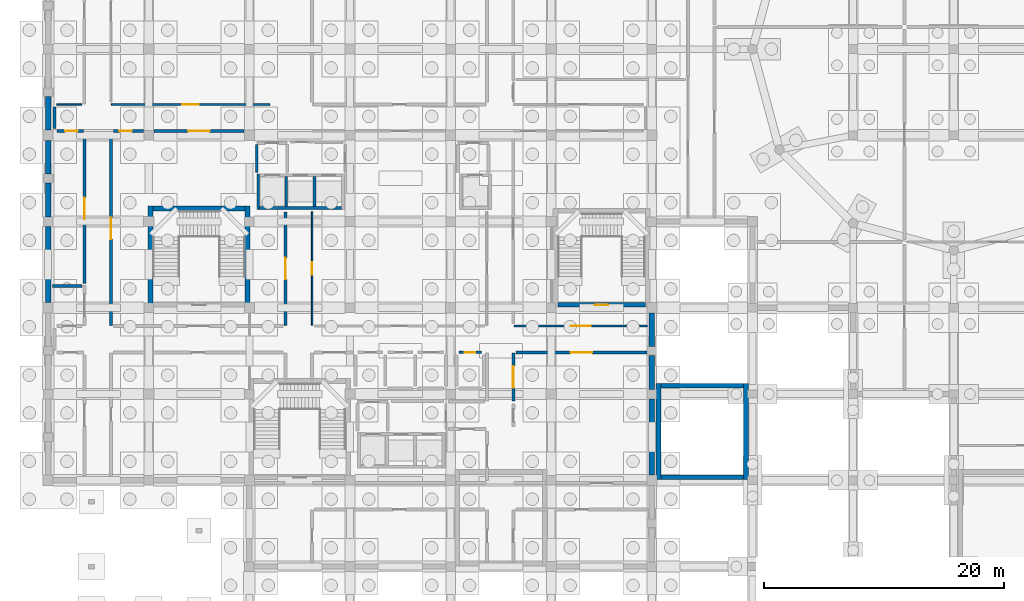
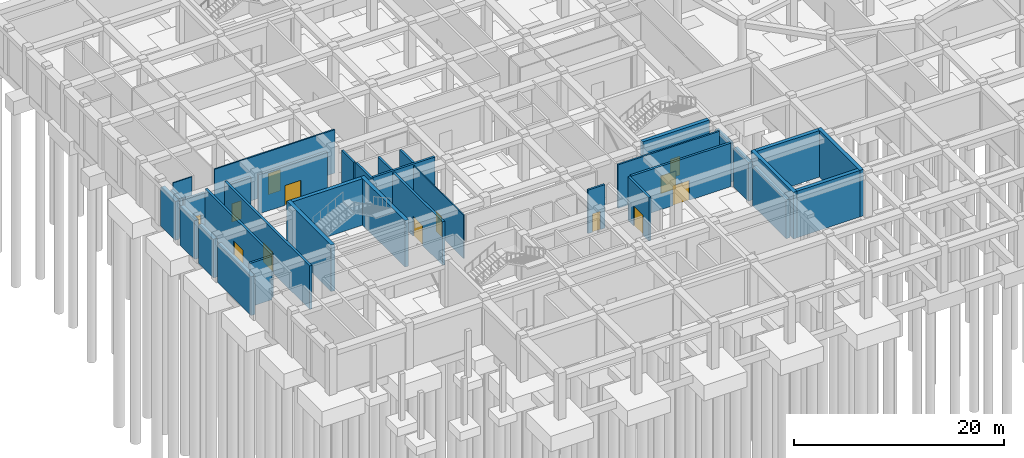
# One storey, part 17 of 32: 35 walls, 13 doors, 13 openings.
"""IFC4 building model written with IfcOpenShell, lengths in metres."""

from ifc_helpers import new_model, si_unit, derived_unit, direction, frame, frame_2d, origin, place, context, subcontext, project, spatial, rectangle, extrude, material, layer, layer_set, type_object, element, fill, save


model = new_model("IFC4")

# Units and contexts
model_context = context("Model", 3, precision=1e-05, world=origin(), true_north=direction((0.0, 1.0)))
body_context = subcontext(model_context, "Body", "Model", "MODEL_VIEW")
ifc_project = project(units=[si_unit("LENGTHUNIT", "METRE"), si_unit("AREAUNIT", "SQUARE_METRE"), si_unit("VOLUMEUNIT", "CUBIC_METRE"), si_unit("PLANEANGLEUNIT", "RADIAN"), si_unit("MASSUNIT", "GRAM", prefix="KILO"), derived_unit("THERMALTRANSMITTANCEUNIT", [(si_unit("POWERUNIT", "WATT"), 1), (si_unit("LENGTHUNIT", "METRE"), -2), (si_unit("THERMODYNAMICTEMPERATUREUNIT", "KELVIN"), -1)])], contexts=[model_context])

# Site, building, storey
site_placement = place(None, origin())
site = spatial("IfcSite", under=ifc_project, at=site_placement, CompositionType="ELEMENT")
building_placement = place(site_placement, origin())
building = spatial("IfcBuilding", under=site, at=building_placement, Name="Veybourne Emporium", CompositionType="ELEMENT")
storey_placement = place(building_placement, frame((0.0, 0.0, -5.39990234375)))
storey = spatial("IfcBuildingStorey", under=building, at=storey_placement, Name="B1", CompositionType="ELEMENT", Elevation=-5.39990234375)

# Walls
ifc_material_1 = material(Name="Concrete C40/50", Category="concrete")
ifc_layer_1 = layer(ifc_material_1, 0.449951171875)
ifc_layer_set_1 = layer_set([ifc_layer_1], Name="Concrete C40/50")
wall_type_1 = type_object("IfcWallType", Name="ExtWall_RW-01", PredefinedType="USERDEFINED", material=ifc_layer_set_1)
wall_1_placement = place(storey_placement, frame((0.0, 29.22509765625, 0.0), z_axis=(0.0, 0.0, 1.0), x_axis=(0.0, 1.0, 0.0)))
element("IfcWall", 1, at=wall_1_placement, inside=storey, type_object=wall_type_1, Name="Basement perimeter retaining wall 004", ObjectType="RETAININGWALL", PredefinedType="USERDEFINED", context=body_context, shape_type="SweptSolid", body=[
    extrude(rectangle(XDim=6.375, YDim=0.449951171875, at=frame_2d((3.1875, 0.0))), origin(), (0.0, 0.0, 1.0), 4.5),
])
wall_2_placement = place(storey_placement, frame((0.0, 36.39990234375, 0.0), z_axis=(0.0, 0.0, 1.0), x_axis=(0.0, 1.0, 0.0)))
element("IfcWall", 2, at=wall_2_placement, inside=storey, type_object=wall_type_1, Name="Basement perimeter retaining wall 005A", ObjectType="RETAININGWALL", PredefinedType="USERDEFINED", context=body_context, shape_type="SweptSolid", body=[
    extrude(rectangle(XDim=2.830078125, YDim=0.449951171875, at=frame_2d((1.4150390625, 0.0))), origin(), (0.0, 0.0, 1.0), 4.5),
])
for number, where, z_axis, x_axis, name in (
    (3, (0.0, 39.969970703125, 0.0), (0.0, 0.0, 1.0), (0.0, 1.0, 0.0), "Basement perimeter retaining wall 005B"),
    (4, (0.0, 43.625, 0.0), (0.0, 0.0, 1.0), (0.0, 1.0, 0.0), "Basement perimeter retaining wall 006A"),
):
    element("IfcWall", number, at=place(storey_placement, frame(where, z_axis=z_axis, x_axis=x_axis)), inside=storey, type_object=wall_type_1, Name=name, ObjectType="RETAININGWALL", PredefinedType="USERDEFINED", context=body_context, shape_type="SweptSolid", body=[
        extrude(rectangle(XDim=2.804931640625, YDim=0.449951171875, at=frame_2d((1.40234375, 0.0))), origin(), (0.0, 0.0, 1.0), 4.5),
    ])
wall_3_placement = place(storey_placement, frame((50.39990234375, 21.199951171875, 0.0), z_axis=(0.0, 0.0, 1.0), x_axis=(0.0, -1.0, 0.0)))
element("IfcWall", 5, at=wall_3_placement, inside=storey, type_object=wall_type_1, Name="Basement perimeter retaining wall 027", ObjectType="RETAININGWALL", PredefinedType="USERDEFINED", context=body_context, shape_type="SweptSolid", body=[
    extrude(rectangle(XDim=6.375, YDim=0.449951171875, at=frame_2d((3.1875, 0.0))), origin(), (0.0, 0.0, 1.0), 4.5),
])
wall_4_placement = place(storey_placement, frame((50.39990234375, 28.375, 0.0), z_axis=(0.0, 0.0, 1.0), x_axis=(0.0, -1.0, 0.0)))
element("IfcWall", 6, at=wall_4_placement, inside=storey, type_object=wall_type_1, Name="Basement perimeter retaining wall 028A", ObjectType="RETAININGWALL", PredefinedType="USERDEFINED", context=body_context, shape_type="SweptSolid", body=[
    extrude(rectangle(XDim=2.804931640625, YDim=0.449951171875, at=frame_2d((1.40234375, 0.0))), origin(), (0.0, 0.0, 1.0), 4.5),
])
wall_5_placement = place(storey_placement, frame((50.39990234375, 24.830078125, 0.0), z_axis=(0.0, 0.0, 1.0), x_axis=(0.0, -1.0, 0.0)))
element("IfcWall", 7, at=wall_5_placement, inside=storey, type_object=wall_type_1, Name="Basement perimeter retaining wall 028B", ObjectType="RETAININGWALL", PredefinedType="USERDEFINED", context=body_context, shape_type="SweptSolid", body=[
    extrude(rectangle(XDim=2.830078125, YDim=0.449951171875, at=frame_2d((1.4150390625, 0.0))), origin(), (0.0, 0.0, 1.0), 4.5),
])
ifc_layer_2 = layer(ifc_material_1, 0.39990234375)
ifc_layer_set_2 = layer_set([ifc_layer_2], Name="Concrete C40/50")
wall_type_2 = type_object("IfcWallType", Name="IntWall_CW-01", PredefinedType="SHEAR", material=ifc_layer_set_2)
wall_6_placement = place(storey_placement, frame((8.75, 37.10009765625, 0.0), z_axis=(0.0, 0.0, 1.0), x_axis=(1.0, 0.0, 0.0)))
element("IfcWall", 8, at=wall_6_placement, inside=storey, type_object=wall_type_2, Name="Core stair ST-02 north shear wall (B1)", PredefinedType="SHEAR", context=body_context, shape_type="SweptSolid", body=[
    extrude(rectangle(XDim=7.699951171875, YDim=0.39990234375, at=frame_2d((3.85009765625, 0.0))), origin(), (0.0, 0.0, 1.0), 5.39990234375),
])
for number, where, z_axis, x_axis, name in (
    (9, (8.550048828125, 37.300048828125, 0.0), (0.0, 0.0, 1.0), (0.0, -1.0, 0.0), "Core stair ST-02 west shear wall (B1)"),
    (10, (16.64990234375, 28.85009765625, 0.0), (0.0, 0.0, 1.0), (0.0, 1.0, 0.0), "Core stair ST-02 east shear wall (B1)"),
):
    element("IfcWall", number, at=place(storey_placement, frame(where, z_axis=z_axis, x_axis=x_axis)), inside=storey, type_object=wall_type_2, Name=name, PredefinedType="SHEAR", context=body_context, shape_type="SweptSolid", body=[
        extrude(rectangle(XDim=8.449951171875, YDim=0.39990234375, at=frame_2d((4.22509765625, 0.0))), origin(), (0.0, 0.0, 1.0), 5.39990234375),
    ])

# Wall, opening, door
wall_7_placement = place(storey_placement, frame((49.85009765625, 29.050048828125, 0.0), z_axis=(0.0, 0.0, 1.0), x_axis=(-1.0, 0.0, 0.0)))
wall_7 = element("IfcWall", 11, at=wall_7_placement, inside=storey, type_object=wall_type_2, Name="Core stair ST-05 south shear wall (B1)", PredefinedType="SHEAR", context=body_context, shape_type="SweptSolid", body=[
    extrude(rectangle(XDim=7.300048828125, YDim=0.39990234375, at=frame_2d((3.64990234375, 0.0))), origin(), (0.0, 0.0, 1.0), 5.39990234375),
])
opening_1_placement = place(wall_7_placement, frame((3.10009765625, 0.0, 0.0)))
opening_1 = element("IfcOpeningElement", 12, at=opening_1_placement, cuts=wall_7, Name="Opening FD-01", PredefinedType="OPENING", context=body_context, shape_type="SweptSolid", body=[
    extrude(rectangle(XDim=1.10009765625, YDim=2.199951171875, at=frame_2d((0.550048828125, 1.10009765625))), frame((0.0, 0.219970703125, 0.0), z_axis=(0.0, -1.0, 0.0), x_axis=(1.0, 0.0, 0.0)), (0.0, 0.0, 1.0), 0.43994140625),
])
ifc_material_2 = material(Name="Patinated Architectural Bronze", Category="bronze")
door_type_1 = type_object("IfcDoorType", Name="FireDoor_FD-01", OperationType="NOTDEFINED", PredefinedType="DOOR", material=ifc_material_2)
door_1_placement = place(opening_1_placement, origin())
door_1 = element("IfcDoor", 13, at=door_1_placement, inside=storey, type_object=door_type_1, Name="Stair ST-05 fire door (B1)", OperationType="SINGLE_SWING_LEFT", OverallHeight=2.199951171875, OverallWidth=1.10009765625, PredefinedType="DOOR", context=body_context, shape_type="SweptSolid", body=[
    extrude(rectangle(XDim=1.10009765625, YDim=2.199951171875, at=frame_2d((0.550048828125, 1.10009765625))), frame((0.0, 0.02490234375, 0.0), z_axis=(0.0, -1.0, 0.0), x_axis=(1.0, 0.0, 0.0)), (0.0, 0.0, 1.0), 0.050048828125),
])
fill(opening_1, door_1)

# Walls
for number, where, z_axis, x_axis, name in (
    (14, (58.050048828125, 14.64990234375, 0.0), (0.0, 0.0, 1.0), (-1.0, 0.0, 0.0), "Core stair ST-09 south shear wall (B1)"),
    (15, (51.14990234375, 22.300048828125, 0.0), (0.0, 0.0, 1.0), (1.0, 0.0, 0.0), "Core stair ST-09 north shear wall (B1)"),
):
    element("IfcWall", number, at=place(storey_placement, frame(where, z_axis=z_axis, x_axis=x_axis)), inside=storey, type_object=wall_type_2, Name=name, PredefinedType="SHEAR", context=body_context, shape_type="SweptSolid", body=[
        extrude(rectangle(XDim=6.900146484375, YDim=0.39990234375, at=frame_2d((3.4501953125, 0.0))), origin(), (0.0, 0.0, 1.0), 5.39990234375),
    ])
for number, where, z_axis, x_axis, name in (
    (16, (50.949951171875, 22.5, 0.0), (0.0, 0.0, 1.0), (0.0, -1.0, 0.0), "Core stair ST-09 west shear wall (B1)"),
    (17, (58.25, 14.449951171875, 0.0), (0.0, 0.0, 1.0), (0.0, 1.0, 0.0), "Core stair ST-09 east shear wall (B1)"),
):
    element("IfcWall", number, at=place(storey_placement, frame(where, z_axis=z_axis, x_axis=x_axis)), inside=storey, type_object=wall_type_2, Name=name, PredefinedType="SHEAR", context=body_context, shape_type="SweptSolid", body=[
        extrude(rectangle(XDim=8.050048828125, YDim=0.39990234375, at=frame_2d((4.02490234375, 0.0))), origin(), (0.0, 0.0, 1.0), 5.39990234375),
    ])
ifc_layer_3 = layer(ifc_material_1, 0.239990234375)
ifc_layer_set_3 = layer_set([ifc_layer_3], Name="Concrete C40/50")
wall_type_3 = type_object("IfcWallType", Name="IntWall_CW-04", PredefinedType="SHEAR", material=ifc_layer_set_3)
wall_8_placement = place(storey_placement, frame((17.659912109375, 37.1298828125, 0.0), z_axis=(0.0, 0.0, 1.0), x_axis=(1.0, 0.0, 0.0)))
element("IfcWall", 18, at=wall_8_placement, inside=storey, type_object=wall_type_3, Name="Lift core C2 south shaft wall (B1)", PredefinedType="SHEAR", context=body_context, shape_type="SweptSolid", body=[
    extrude(rectangle(XDim=6.820068359375, YDim=0.239990234375, at=frame_2d((3.41015625, 0.0))), origin(), (0.0, 0.0, 1.0), 5.0498046875),
])
wall_9_placement = place(storey_placement, frame((17.5400390625, 39.989990234375, 0.0), z_axis=(0.0, 0.0, 1.0), x_axis=(0.0, -1.0, 0.0)))
element("IfcWall", 19, at=wall_9_placement, inside=storey, type_object=wall_type_3, Name="Lift core C2 west shaft wall (B1)", PredefinedType="SHEAR", context=body_context, shape_type="SweptSolid", body=[
    extrude(rectangle(XDim=2.97998046875, YDim=0.239990234375, at=frame_2d((1.489990234375, 0.0))), origin(), (0.0, 0.0, 1.0), 5.0498046875),
])
for number, where, z_axis, x_axis, name in (
    (20, (19.8798828125, 37.25, 0.0), (0.0, 0.0, 1.0), (0.0, 1.0, 0.0), "Lift core C2 divider wall 1 (B1)"),
    (21, (22.239990234375, 37.25, 0.0), (0.0, 0.0, 1.0), (0.0, 1.0, 0.0), "Lift core C2 divider wall 2 (B1)"),
):
    element("IfcWall", number, at=place(storey_placement, frame(where, z_axis=z_axis, x_axis=x_axis)), inside=storey, type_object=wall_type_3, Name=name, PredefinedType="SHEAR", context=body_context, shape_type="SweptSolid", body=[
        extrude(rectangle(XDim=2.5, YDim=0.239990234375, at=frame_2d((1.25, 0.0))), origin(), (0.0, 0.0, 1.0), 5.0498046875),
    ])

# Wall, opening, door
ifc_material_3 = material(Name="Concrete C32/40", Category="concrete")
ifc_layer_4 = layer(ifc_material_3, 0.25)
ifc_layer_set_4 = layer_set([ifc_layer_4], Name="Concrete C32/40")
wall_type_4 = type_object("IfcWallType", Name="IntWall_FW-01", PredefinedType="SOLIDWALL", material=ifc_layer_set_4)
wall_10_placement = place(storey_placement, frame((5.22998046875, 27.330078125, 0.0), z_axis=(0.0, 0.0, 1.0), x_axis=(0.0, 1.0, 0.0)))
wall_10 = element("IfcWall", 22, at=wall_10_placement, inside=storey, type_object=wall_type_4, Name="B1 interior partition FW-01 #010", PredefinedType="SOLIDWALL", context=body_context, shape_type="SweptSolid", body=[
    extrude(rectangle(XDim=16.18994140625, YDim=0.25, at=frame_2d((8.094970703125, 0.0))), origin(), (0.0, 0.0, 1.0), 5.0498046875),
])
opening_2_placement = place(wall_10_placement, frame((7.195068359375, 0.0, 0.0)))
opening_2 = element("IfcOpeningElement", 23, at=opening_2_placement, cuts=wall_10, Name="Opening FD-03", PredefinedType="OPENING", context=body_context, shape_type="SweptSolid", body=[
    extrude(rectangle(XDim=1.800048828125, YDim=2.300048828125, at=frame_2d((0.89990234375, 1.14990234375))), frame((0.0, 0.14501953125, 0.0), z_axis=(0.0, -1.0, 0.0), x_axis=(1.0, 0.0, 0.0)), (0.0, 0.0, 1.0), 0.2900390625),
])
door_type_2 = type_object("IfcDoorType", Name="FireDoor_FD-03", OperationType="DOUBLE_DOOR_SINGLE_SWING", PredefinedType="DOOR", material=ifc_material_2)
door_2_placement = place(opening_2_placement, origin())
door_2 = element("IfcDoor", 24, at=door_2_placement, inside=storey, type_object=door_type_2, Name="B1 interior door FD-03 (PART-B1-010)", OperationType="DOUBLE_DOOR_SINGLE_SWING", OverallHeight=2.300048828125, OverallWidth=1.800048828125, PredefinedType="DOOR", context=body_context, shape_type="SweptSolid", body=[
    extrude(rectangle(XDim=1.800048828125, YDim=2.300048828125, at=frame_2d((0.89990234375, 1.14990234375))), frame((0.0, 0.02490234375, 0.0), z_axis=(0.0, -1.0, 0.0), x_axis=(1.0, 0.0, 0.0)), (0.0, 0.0, 1.0), 0.050048828125),
])
fill(opening_2, door_2)

wall_11_placement = place(storey_placement, frame((5.43994140625, 43.570068359375, 0.0), z_axis=(0.0, 0.0, 1.0), x_axis=(1.0, 0.0, 0.0)))
wall_11 = element("IfcWall", 25, at=wall_11_placement, inside=storey, type_object=wall_type_4, Name="B1 interior partition FW-01 #030", PredefinedType="SOLIDWALL", context=body_context, shape_type="SweptSolid", body=[
    extrude(rectangle(XDim=2.5400390625, YDim=0.25, at=frame_2d((1.27001953125, 0.0))), origin(), (0.0, 0.0, 1.0), 4.5498046875),
])
opening_3_placement = place(wall_11_placement, frame((0.506591796875, 0.0, 0.0)))
opening_3 = element("IfcOpeningElement", 26, at=opening_3_placement, cuts=wall_11, Name="Opening FD-02", PredefinedType="OPENING", context=body_context, shape_type="SweptSolid", body=[
    extrude(rectangle(XDim=1.050048828125, YDim=2.14990234375, at=frame_2d((0.52490234375, 1.074951171875))), frame((0.0, 0.14501953125, 0.0), z_axis=(0.0, -1.0, 0.0), x_axis=(1.0, 0.0, 0.0)), (0.0, 0.0, 1.0), 0.2900390625),
])
door_type_3 = type_object("IfcDoorType", Name="FireDoor_FD-02", OperationType="NOTDEFINED", PredefinedType="DOOR", material=ifc_material_2)
door_3_placement = place(opening_3_placement, origin())
door_3 = element("IfcDoor", 27, at=door_3_placement, inside=storey, type_object=door_type_3, Name="B1 interior door FD-02 (PART-B1-030)", OperationType="SINGLE_SWING_RIGHT", OverallHeight=2.14990234375, OverallWidth=1.050048828125, PredefinedType="DOOR", context=body_context, shape_type="SweptSolid", body=[
    extrude(rectangle(XDim=1.050048828125, YDim=2.14990234375, at=frame_2d((0.52490234375, 1.074951171875))), frame((0.0, 0.02490234375, 0.0), z_axis=(0.0, -1.0, 0.0), x_axis=(1.0, 0.0, 0.0)), (0.0, 0.0, 1.0), 0.050048828125),
])
fill(opening_3, door_3)

wall_12_placement = place(storey_placement, frame((8.820068359375, 43.570068359375, 0.0), z_axis=(0.0, 0.0, 1.0), x_axis=(1.0, 0.0, 0.0)))
wall_12 = element("IfcWall", 28, at=wall_12_placement, inside=storey, type_object=wall_type_4, Name="B1 interior partition FW-01 #031", PredefinedType="SOLIDWALL", context=body_context, shape_type="SweptSolid", body=[
    extrude(rectangle(XDim=7.534912109375, YDim=0.25, at=frame_2d((3.767578125, 0.0))), origin(), (0.0, 0.0, 1.0), 4.5498046875),
])
opening_4_placement = place(wall_12_placement, frame((2.867431640625, 0.0, 0.0)))
opening_4 = element("IfcOpeningElement", 29, at=opening_4_placement, cuts=wall_12, Name="Opening FD-03", PredefinedType="OPENING", context=body_context, shape_type="SweptSolid", body=[
    extrude(rectangle(XDim=1.800048828125, YDim=2.300048828125, at=frame_2d((0.89990234375, 1.14990234375))), frame((0.0, 0.14501953125, 0.0), z_axis=(0.0, -1.0, 0.0), x_axis=(1.0, 0.0, 0.0)), (0.0, 0.0, 1.0), 0.2900390625),
])
door_4_placement = place(opening_4_placement, origin())
door_4 = element("IfcDoor", 30, at=door_4_placement, inside=storey, type_object=door_type_2, Name="B1 interior door FD-03 (PART-B1-031)", OperationType="DOUBLE_DOOR_SINGLE_SWING", OverallHeight=2.300048828125, OverallWidth=1.800048828125, PredefinedType="DOOR", context=body_context, shape_type="SweptSolid", body=[
    extrude(rectangle(XDim=1.800048828125, YDim=2.300048828125, at=frame_2d((0.89990234375, 1.14990234375))), frame((0.0, 0.02490234375, 0.0), z_axis=(0.0, -1.0, 0.0), x_axis=(1.0, 0.0, 0.0)), (0.0, 0.0, 1.0), 0.050048828125),
])
fill(opening_4, door_4)

wall_13_placement = place(storey_placement, frame((3.02001953125, 30.840087890625, 0.0), z_axis=(0.0, 0.0, 1.0), x_axis=(0.0, 1.0, 0.0)))
wall_13 = element("IfcWall", 31, at=wall_13_placement, inside=storey, type_object=wall_type_4, Name="B1 interior partition FW-01 #035", PredefinedType="SOLIDWALL", context=body_context, shape_type="SweptSolid", body=[
    extrude(rectangle(XDim=12.52001953125, YDim=0.25, at=frame_2d((6.260009765625, 0.0))), origin(), (0.0, 0.0, 1.0), 5.0498046875),
])
opening_5_placement = place(wall_13_placement, frame((5.360107421875, 0.0, 0.0)))
opening_5 = element("IfcOpeningElement", 32, at=opening_5_placement, cuts=wall_13, Name="Opening FD-03", PredefinedType="OPENING", context=body_context, shape_type="SweptSolid", body=[
    extrude(rectangle(XDim=1.800048828125, YDim=2.300048828125, at=frame_2d((0.89990234375, 1.14990234375))), frame((0.0, 0.14501953125, 0.0), z_axis=(0.0, -1.0, 0.0), x_axis=(1.0, 0.0, 0.0)), (0.0, 0.0, 1.0), 0.2900390625),
])
door_5_placement = place(opening_5_placement, origin())
door_5 = element("IfcDoor", 33, at=door_5_placement, inside=storey, type_object=door_type_2, Name="B1 interior door FD-03 (PART-B1-035)", OperationType="DOUBLE_DOOR_SINGLE_SWING", OverallHeight=2.300048828125, OverallWidth=1.800048828125, PredefinedType="DOOR", context=body_context, shape_type="SweptSolid", body=[
    extrude(rectangle(XDim=1.800048828125, YDim=2.300048828125, at=frame_2d((0.89990234375, 1.14990234375))), frame((0.0, 0.02490234375, 0.0), z_axis=(0.0, -1.0, 0.0), x_axis=(1.0, 0.0, 0.0)), (0.0, 0.0, 1.0), 0.050048828125),
])
fill(opening_5, door_5)

wall_14_placement = place(storey_placement, frame((39.0400390625, 25.070068359375, 0.0), z_axis=(0.0, 0.0, 1.0), x_axis=(1.0, 0.0, 0.0)))
wall_14 = element("IfcWall", 34, at=wall_14_placement, inside=storey, type_object=wall_type_4, Name="B1 interior partition FW-01 #044", PredefinedType="SOLIDWALL", context=body_context, shape_type="SweptSolid", body=[
    extrude(rectangle(XDim=10.949951171875, YDim=0.25, at=frame_2d((5.47509765625, 0.0))), origin(), (0.0, 0.0, 1.0), 5.0498046875),
])
opening_6_placement = place(wall_14_placement, frame((4.574951171875, 0.0, 0.0)))
opening_6 = element("IfcOpeningElement", 35, at=opening_6_placement, cuts=wall_14, Name="Opening FD-03", PredefinedType="OPENING", context=body_context, shape_type="SweptSolid", body=[
    extrude(rectangle(XDim=1.800048828125, YDim=2.300048828125, at=frame_2d((0.89990234375, 1.14990234375))), frame((0.0, 0.14501953125, 0.0), z_axis=(0.0, -1.0, 0.0), x_axis=(1.0, 0.0, 0.0)), (0.0, 0.0, 1.0), 0.2900390625),
])
door_6_placement = place(opening_6_placement, origin())
door_6 = element("IfcDoor", 36, at=door_6_placement, inside=storey, type_object=door_type_2, Name="B1 interior door FD-03 (PART-B1-044)", OperationType="DOUBLE_DOOR_SINGLE_SWING", OverallHeight=2.300048828125, OverallWidth=1.800048828125, PredefinedType="DOOR", context=body_context, shape_type="SweptSolid", body=[
    extrude(rectangle(XDim=1.800048828125, YDim=2.300048828125, at=frame_2d((0.89990234375, 1.14990234375))), frame((0.0, 0.02490234375, 0.0), z_axis=(0.0, -1.0, 0.0), x_axis=(1.0, 0.0, 0.0)), (0.0, 0.0, 1.0), 0.050048828125),
])
fill(opening_6, door_6)

wall_15_placement = place(storey_placement, frame((19.820068359375, 27.330078125, 0.0), z_axis=(0.0, 0.0, 1.0), x_axis=(0.0, 1.0, 0.0)))
wall_15 = element("IfcWall", 37, at=wall_15_placement, inside=storey, type_object=wall_type_4, Name="B1 interior partition FW-01 #054", PredefinedType="SOLIDWALL", context=body_context, shape_type="SweptSolid", body=[
    extrude(rectangle(XDim=9.469970703125, YDim=0.25, at=frame_2d((4.73486328125, 0.0))), origin(), (0.0, 0.0, 1.0), 5.0498046875),
])
opening_7_placement = place(wall_15_placement, frame((3.8349609375, 0.0, 0.0)))
opening_7 = element("IfcOpeningElement", 38, at=opening_7_placement, cuts=wall_15, Name="Opening FD-03", PredefinedType="OPENING", context=body_context, shape_type="SweptSolid", body=[
    extrude(rectangle(XDim=1.800048828125, YDim=2.300048828125, at=frame_2d((0.89990234375, 1.14990234375))), frame((0.0, 0.14501953125, 0.0), z_axis=(0.0, -1.0, 0.0), x_axis=(1.0, 0.0, 0.0)), (0.0, 0.0, 1.0), 0.2900390625),
])
door_7_placement = place(opening_7_placement, origin())
door_7 = element("IfcDoor", 39, at=door_7_placement, inside=storey, type_object=door_type_2, Name="B1 interior door FD-03 (PART-B1-054)", OperationType="DOUBLE_DOOR_SINGLE_SWING", OverallHeight=2.300048828125, OverallWidth=1.800048828125, PredefinedType="DOOR", context=body_context, shape_type="SweptSolid", body=[
    extrude(rectangle(XDim=1.800048828125, YDim=2.300048828125, at=frame_2d((0.89990234375, 1.14990234375))), frame((0.0, 0.02490234375, 0.0), z_axis=(0.0, -1.0, 0.0), x_axis=(1.0, 0.0, 0.0)), (0.0, 0.0, 1.0), 0.050048828125),
])
fill(opening_7, door_7)

wall_16_placement = place(storey_placement, frame((38.830078125, 21.030029296875, 0.0), z_axis=(0.0, 0.0, 1.0), x_axis=(0.0, 1.0, 0.0)))
wall_16 = element("IfcWall", 40, at=wall_16_placement, inside=storey, type_object=wall_type_4, Name="B1 interior partition FW-01 #082", PredefinedType="SOLIDWALL", context=body_context, shape_type="SweptSolid", body=[
    extrude(rectangle(XDim=3.989990234375, YDim=0.25, at=frame_2d((1.9951171875, 0.0))), origin(), (0.0, 0.0, 1.0), 5.0498046875),
])
opening_8_placement = place(wall_16_placement, frame((1.094970703125, 0.0, 0.0)))
opening_8 = element("IfcOpeningElement", 41, at=opening_8_placement, cuts=wall_16, Name="Opening FD-03", PredefinedType="OPENING", context=body_context, shape_type="SweptSolid", body=[
    extrude(rectangle(XDim=1.800048828125, YDim=2.300048828125, at=frame_2d((0.89990234375, 1.14990234375))), frame((0.0, 0.14501953125, 0.0), z_axis=(0.0, -1.0, 0.0), x_axis=(1.0, 0.0, 0.0)), (0.0, 0.0, 1.0), 0.2900390625),
])
door_8_placement = place(opening_8_placement, origin())
door_8 = element("IfcDoor", 42, at=door_8_placement, inside=storey, type_object=door_type_2, Name="B1 interior door FD-03 (PART-B1-082)", OperationType="DOUBLE_DOOR_SINGLE_SWING", OverallHeight=2.300048828125, OverallWidth=1.800048828125, PredefinedType="DOOR", context=body_context, shape_type="SweptSolid", body=[
    extrude(rectangle(XDim=1.800048828125, YDim=2.300048828125, at=frame_2d((0.89990234375, 1.14990234375))), frame((0.0, 0.02490234375, 0.0), z_axis=(0.0, -1.0, 0.0), x_axis=(1.0, 0.0, 0.0)), (0.0, 0.0, 1.0), 0.050048828125),
])
fill(opening_8, door_8)

wall_17_placement = place(storey_placement, frame((0.72998046875, 43.570068359375, 0.0), z_axis=(0.0, 0.0, 1.0), x_axis=(1.0, 0.0, 0.0)))
wall_17 = element("IfcWall", 43, at=wall_17_placement, inside=storey, type_object=wall_type_4, Name="B1 interior partition FW-01 #099", PredefinedType="SOLIDWALL", context=body_context, shape_type="SweptSolid", body=[
    extrude(rectangle(XDim=2.239990234375, YDim=0.25, at=frame_2d((1.1201171875, 0.0))), origin(), (0.0, 0.0, 1.0), 4.5498046875),
])
opening_9_placement = place(wall_17_placement, frame((0.690185546875, 0.0, 0.0)))
opening_9 = element("IfcOpeningElement", 44, at=opening_9_placement, cuts=wall_17, Name="Opening FD-02", PredefinedType="OPENING", context=body_context, shape_type="SweptSolid", body=[
    extrude(rectangle(XDim=1.050048828125, YDim=2.14990234375, at=frame_2d((0.52490234375, 1.074951171875))), frame((0.0, 0.14501953125, 0.0), z_axis=(0.0, -1.0, 0.0), x_axis=(1.0, 0.0, 0.0)), (0.0, 0.0, 1.0), 0.2900390625),
])
door_9_placement = place(opening_9_placement, origin())
door_9 = element("IfcDoor", 45, at=door_9_placement, inside=storey, type_object=door_type_3, Name="B1 interior door FD-02 (PART-B1-099)", OperationType="SINGLE_SWING_RIGHT", OverallHeight=2.14990234375, OverallWidth=1.050048828125, PredefinedType="DOOR", context=body_context, shape_type="SweptSolid", body=[
    extrude(rectangle(XDim=1.050048828125, YDim=2.14990234375, at=frame_2d((0.52490234375, 1.074951171875))), frame((0.0, 0.02490234375, 0.0), z_axis=(0.0, -1.0, 0.0), x_axis=(1.0, 0.0, 0.0)), (0.0, 0.0, 1.0), 0.050048828125),
])
fill(opening_9, door_9)

# Walls
wall_18_placement = place(storey_placement, frame((0.52001953125, 43.780029296875, 0.0), z_axis=(0.0, 0.0, 1.0), x_axis=(0.0, 1.0, 0.0)))
element("IfcWall", 46, at=wall_18_placement, inside=storey, type_object=wall_type_4, Name="B1 interior partition FW-01 #121", PredefinedType="SOLIDWALL", context=body_context, shape_type="SweptSolid", body=[
    extrude(rectangle(XDim=1.7900390625, YDim=0.25, at=frame_2d((0.89501953125, 0.0))), origin(), (0.0, 0.0, 1.0), 4.5),
])
wall_19_placement = place(storey_placement, frame((0.3701171875, 30.6298828125, 0.0), z_axis=(0.0, 0.0, 1.0), x_axis=(1.0, 0.0, 0.0)))
element("IfcWall", 47, at=wall_19_placement, inside=storey, type_object=wall_type_4, Name="B1 interior partition FW-01 #186", PredefinedType="SOLIDWALL", context=body_context, shape_type="SweptSolid", body=[
    extrude(rectangle(XDim=2.43994140625, YDim=0.25, at=frame_2d((1.219970703125, 0.0))), origin(), (0.0, 0.0, 1.0), 5.0498046875),
])
ifc_layer_5 = layer(ifc_material_3, 0.219970703125)
ifc_layer_set_5 = layer_set([ifc_layer_5], Name="Concrete C32/40")
wall_type_5 = type_object("IfcWallType", Name="IntWall_FW-02", PredefinedType="SOLIDWALL", material=ifc_layer_set_5)
wall_20_placement = place(storey_placement, frame((17.419921875, 40.110107421875, 0.0), z_axis=(0.0, 0.0, 1.0), x_axis=(0.0, 1.0, 0.0)))
element("IfcWall", 48, at=wall_20_placement, inside=storey, type_object=wall_type_5, Name="Firefighting lobby C2 fire wall W (B1)", PredefinedType="SOLIDWALL", context=body_context, shape_type="SweptSolid", body=[
    extrude(rectangle(XDim=2.31982421875, YDim=0.219970703125, at=frame_2d((1.159912109375, 0.0))), origin(), (0.0, 0.0, 1.0), 5.0498046875),
])

# Wall, opening, door
ifc_material_4 = material(Name="Gypsum Acoustic Board", Category="gypsum")
ifc_layer_6 = layer(ifc_material_4, 0.179931640625)
ifc_layer_set_6 = layer_set([ifc_layer_6], Name="Gypsum Acoustic Board")
wall_type_6 = type_object("IfcWallType", Name="IntWall_IW-01", PredefinedType="PARTITIONING", material=ifc_layer_set_6)
wall_21_placement = place(storey_placement, frame((38.8798828125, 27.280029296875, 0.0), z_axis=(0.0, 0.0, 1.0), x_axis=(1.0, 0.0, 0.0)))
wall_21 = element("IfcWall", 49, at=wall_21_placement, inside=storey, type_object=wall_type_6, Name="B1 interior partition IW-01 #042", PredefinedType="PARTITIONING", context=body_context, shape_type="SweptSolid", body=[
    extrude(rectangle(XDim=11.150146484375, YDim=0.179931640625, at=frame_2d((5.5751953125, 0.0))), origin(), (0.0, 0.0, 1.0), 5.0498046875),
])
opening_10_placement = place(wall_21_placement, frame((4.735107421875, 0.0, 0.0)))
opening_10 = element("IfcOpeningElement", 50, at=opening_10_placement, cuts=wall_21, Name="Opening D-06", PredefinedType="OPENING", context=body_context, shape_type="SweptSolid", body=[
    extrude(rectangle(XDim=1.679931640625, YDim=2.050048828125, at=frame_2d((0.83984375, 1.02490234375))), frame((0.0, 0.10986328125, 0.0), z_axis=(0.0, -1.0, 0.0), x_axis=(1.0, 0.0, 0.0)), (0.0, 0.0, 1.0), 0.219970703125),
])
ifc_material_5 = material(Name="European Oak Veneer and Bronze", Category="wood")
door_type_4 = type_object("IfcDoorType", Name="IntDoor_D-06", OperationType="DOUBLE_DOOR_SINGLE_SWING", PredefinedType="DOOR", material=ifc_material_5)
door_10_placement = place(opening_10_placement, origin())
door_10 = element("IfcDoor", 51, at=door_10_placement, inside=storey, type_object=door_type_4, Name="B1 interior door D-06 (PART-B1-042)", OperationType="DOUBLE_DOOR_SINGLE_SWING", OverallHeight=2.050048828125, OverallWidth=1.679931640625, PredefinedType="DOOR", context=body_context, shape_type="SweptSolid", body=[
    extrude(rectangle(XDim=1.679931640625, YDim=2.050048828125, at=frame_2d((0.83984375, 1.02490234375))), frame((0.0, 0.02490234375, 0.0), z_axis=(0.0, -1.0, 0.0), x_axis=(1.0, 0.0, 0.0)), (0.0, 0.0, 1.0), 0.050048828125),
])
fill(opening_10, door_10)

ifc_layer_7 = layer(ifc_material_4, 0.14990234375)
ifc_layer_set_7 = layer_set([ifc_layer_7], Name="Gypsum Acoustic Board")
wall_type_7 = type_object("IfcWallType", Name="IntWall_IW-02", PredefinedType="PARTITIONING", material=ifc_layer_set_7)
wall_22_placement = place(storey_placement, frame((5.280029296875, 45.780029296875, 0.0), z_axis=(0.0, 0.0, 1.0), x_axis=(1.0, 0.0, 0.0)))
wall_22 = element("IfcWall", 52, at=wall_22_placement, inside=storey, type_object=wall_type_7, Name="B1 interior partition IW-02 #034", PredefinedType="PARTITIONING", context=body_context, shape_type="SweptSolid", body=[
    extrude(rectangle(XDim=13.2099609375, YDim=0.14990234375, at=frame_2d((6.60498046875, 0.0))), origin(), (0.0, 0.0, 1.0), 5.0498046875),
])
opening_11_placement = place(wall_22_placement, frame((5.925048828125, 0.0, 0.0)))
opening_11 = element("IfcOpeningElement", 53, at=opening_11_placement, cuts=wall_22, Name="Opening D-34", PredefinedType="OPENING", context=body_context, shape_type="SweptSolid", body=[
    extrude(rectangle(XDim=1.360107421875, YDim=2.449951171875, at=frame_2d((0.68017578125, 1.22509765625))), frame((0.0, 0.094970703125, 0.0), z_axis=(0.0, -1.0, 0.0), x_axis=(1.0, 0.0, 0.0)), (0.0, 0.0, 1.0), 0.18994140625),
])
door_type_5 = type_object("IfcDoorType", Name="IntDoor_D-34", OperationType="NOTDEFINED", PredefinedType="DOOR", material=ifc_material_5)
door_11_placement = place(opening_11_placement, origin())
door_11 = element("IfcDoor", 54, at=door_11_placement, inside=storey, type_object=door_type_5, Name="B1 interior door D-34 (PART-B1-034)", OperationType="SINGLE_SWING_RIGHT", OverallHeight=2.449951171875, OverallWidth=1.360107421875, PredefinedType="DOOR", context=body_context, shape_type="SweptSolid", body=[
    extrude(rectangle(XDim=1.360107421875, YDim=2.449951171875, at=frame_2d((0.68017578125, 1.22509765625))), frame((0.0, 0.02490234375, 0.0), z_axis=(0.0, -1.0, 0.0), x_axis=(1.0, 0.0, 0.0)), (0.0, 0.0, 1.0), 0.050048828125),
])
fill(opening_11, door_11)

ifc_layer_8 = layer(ifc_material_4, 0.1201171875)
ifc_layer_set_8 = layer_set([ifc_layer_8], Name="Gypsum Acoustic Board")
wall_type_8 = type_object("IfcWallType", Name="IntWall_IW-03", PredefinedType="PARTITIONING", material=ifc_layer_set_8)
wall_23_placement = place(storey_placement, frame((22.030029296875, 27.330078125, 0.0), z_axis=(0.0, 0.0, 1.0), x_axis=(0.0, 1.0, 0.0)))
wall_23 = element("IfcWall", 55, at=wall_23_placement, inside=storey, type_object=wall_type_8, Name="B1 interior partition IW-03 #056", PredefinedType="PARTITIONING", context=body_context, shape_type="SweptSolid", body=[
    extrude(rectangle(XDim=9.469970703125, YDim=0.1201171875, at=frame_2d((4.73486328125, 0.0))), origin(), (0.0, 0.0, 1.0), 5.0498046875),
])
opening_12_placement = place(wall_23_placement, frame((4.215087890625, 0.0, 0.0)))
opening_12 = element("IfcOpeningElement", 56, at=opening_12_placement, cuts=wall_23, Name="Opening D-20", PredefinedType="OPENING", context=body_context, shape_type="SweptSolid", body=[
    extrude(rectangle(XDim=1.0400390625, YDim=2.2900390625, at=frame_2d((0.52001953125, 1.14501953125))), frame((0.0, 0.080078125, 0.0), z_axis=(0.0, -1.0, 0.0), x_axis=(1.0, 0.0, 0.0)), (0.0, 0.0, 1.0), 0.16015625),
])
door_type_6 = type_object("IfcDoorType", Name="IntDoor_D-20", OperationType="NOTDEFINED", PredefinedType="DOOR", material=ifc_material_5)
door_12_placement = place(opening_12_placement, origin())
door_12 = element("IfcDoor", 57, at=door_12_placement, inside=storey, type_object=door_type_6, Name="B1 interior door D-20 (PART-B1-056)", OperationType="SINGLE_SWING_RIGHT", OverallHeight=2.2900390625, OverallWidth=1.0400390625, PredefinedType="DOOR", context=body_context, shape_type="SweptSolid", body=[
    extrude(rectangle(XDim=1.0400390625, YDim=2.2900390625, at=frame_2d((0.52001953125, 1.14501953125))), frame((0.0, 0.02490234375, 0.0), z_axis=(0.0, -1.0, 0.0), x_axis=(1.0, 0.0, 0.0)), (0.0, 0.0, 1.0), 0.050048828125),
])
fill(opening_12, door_12)

# Wall
wall_24_placement = place(storey_placement, frame((0.72998046875, 45.780029296875, 0.0), z_axis=(0.0, 0.0, 1.0), x_axis=(1.0, 0.0, 0.0)))
element("IfcWall", 58, at=wall_24_placement, inside=storey, type_object=wall_type_8, Name="B1 interior partition IW-03 #107", PredefinedType="PARTITIONING", context=body_context, shape_type="SweptSolid", body=[
    extrude(rectangle(XDim=2.080078125, YDim=0.1201171875, at=frame_2d((1.0400390625, 0.0))), origin(), (0.0, 0.0, 1.0), 5.0498046875),
])

# Wall, opening, door
ifc_layer_9 = layer(ifc_material_4, 0.199951171875)
ifc_layer_set_9 = layer_set([ifc_layer_9], Name="Gypsum Acoustic Board")
wall_type_9 = type_object("IfcWallType", Name="IntWall_IW-04", PredefinedType="PLUMBINGWALL", material=ifc_layer_set_9)
wall_25_placement = place(storey_placement, frame((34.280029296875, 25.080078125, 0.0), z_axis=(0.0, 0.0, 1.0), x_axis=(1.0, 0.0, 0.0)))
wall_25 = element("IfcWall", 59, at=wall_25_placement, inside=storey, type_object=wall_type_9, Name="B1 interior partition IW-04 #115", PredefinedType="PLUMBINGWALL", context=body_context, shape_type="SweptSolid", body=[
    extrude(rectangle(XDim=1.889892578125, YDim=0.199951171875, at=frame_2d((0.94482421875, 0.0))), origin(), (0.0, 0.0, 1.0), 5.0498046875),
])
opening_13_placement = place(wall_25_placement, frame((0.5048828125, 0.0, 0.0)))
opening_13 = element("IfcOpeningElement", 60, at=opening_13_placement, cuts=wall_25, Name="Opening D-07", PredefinedType="OPENING", context=body_context, shape_type="SweptSolid", body=[
    extrude(rectangle(XDim=0.8798828125, YDim=2.1298828125, at=frame_2d((0.43994140625, 1.06494140625))), frame((0.0, 0.1201171875, 0.0), z_axis=(0.0, -1.0, 0.0), x_axis=(1.0, 0.0, 0.0)), (0.0, 0.0, 1.0), 0.239990234375),
])
door_type_7 = type_object("IfcDoorType", Name="IntDoor_D-07", OperationType="NOTDEFINED", PredefinedType="DOOR", material=ifc_material_5)
door_13_placement = place(opening_13_placement, origin())
door_13 = element("IfcDoor", 61, at=door_13_placement, inside=storey, type_object=door_type_7, Name="B1 interior door D-07 (PART-B1-115)", OperationType="SINGLE_SWING_LEFT", OverallHeight=2.1298828125, OverallWidth=0.8798828125, PredefinedType="DOOR", context=body_context, shape_type="SweptSolid", body=[
    extrude(rectangle(XDim=0.8798828125, YDim=2.1298828125, at=frame_2d((0.43994140625, 1.06494140625))), frame((0.0, 0.02490234375, 0.0), z_axis=(0.0, -1.0, 0.0), x_axis=(1.0, 0.0, 0.0)), (0.0, 0.0, 1.0), 0.050048828125),
])
fill(opening_13, door_13)

save(model, "model.ifc")
